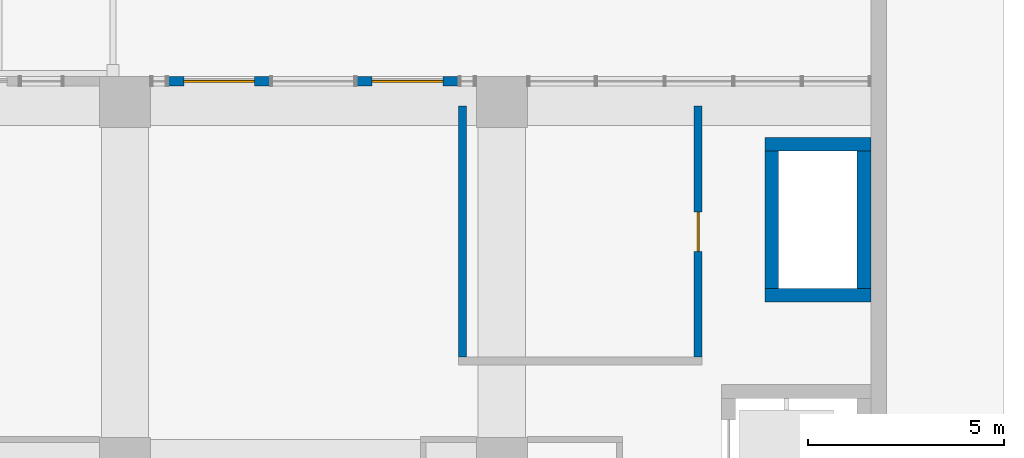
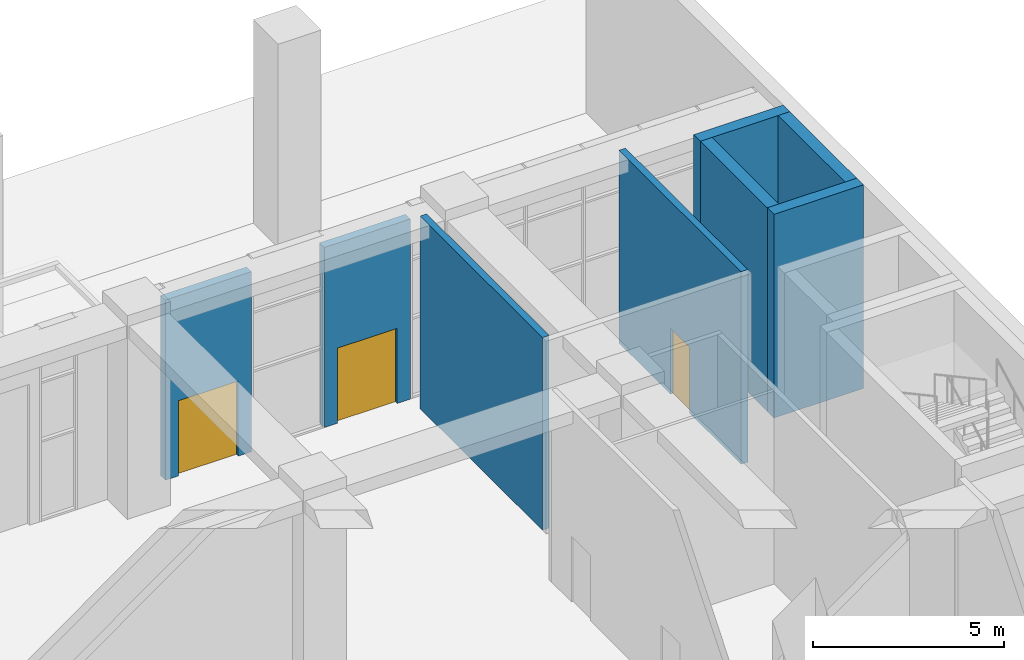
# One storey, part 23 of 45: 8 walls, 3 doors, 3 openings.
"""IFC4 building model written with IfcOpenShell, lengths in metres."""

from ifc_helpers import new_model, si_unit, direction, frame, frame_2d, origin, place, context, subcontext, project, spatial, rectangle, extrude, material, layer, layer_set, layer_usage, type_object, element, fill, save


model = new_model("IFC4")

# Units and contexts
model_context = context("Model", 3, precision=1e-05, world=origin(), true_north=direction((0.0, 1.0)))
body_context = subcontext(model_context, "Body", "Model", "MODEL_VIEW")
ifc_project = project(units=[si_unit("LENGTHUNIT", "METRE"), si_unit("AREAUNIT", "SQUARE_METRE"), si_unit("VOLUMEUNIT", "CUBIC_METRE"), si_unit("PLANEANGLEUNIT", "RADIAN"), si_unit("MASSUNIT", "GRAM", prefix="KILO")], contexts=[model_context])

# Site, building, storey
site_placement = place(None, origin())
site = spatial("IfcSite", under=ifc_project, at=site_placement, CompositionType="ELEMENT")
building_placement = place(site_placement, origin())
building = spatial("IfcBuilding", under=site, at=building_placement, Name="Nzadi Deep Aquarium and Research Tower", CompositionType="ELEMENT")
storey_placement = place(building_placement, origin())
storey = spatial("IfcBuildingStorey", under=building, at=storey_placement, Name="G", CompositionType="ELEMENT", Elevation=0.0)

# Wall, opening, door
ifc_material_1 = material(Name="Concrete C35/45", Category="concrete")
ifc_layer_1 = layer(ifc_material_1, 0.199951171875, Category="cladding")
ifc_material_2 = material(Name="Mineral wool insulation")
ifc_layer_2 = layer(ifc_material_2, 0.050048828125, Category="insulation")
ifc_layer_set_1 = layer_set([ifc_layer_1, ifc_layer_2], Name="Concrete C35/45, Mineral wool insulation")
ifc_layer_usage_1 = layer_usage(ifc_layer_set_1, "AXIS2", "POSITIVE", -0.125)
wall_type_1 = type_object("IfcWallType", Name="Entrance pier wall stone clad 250", PredefinedType="ELEMENTEDWALL", material=ifc_layer_set_1)
wall_1_placement = place(storey_placement, frame((42.10009765625, 132.125, 0.0), z_axis=(0.0, 0.0, 1.0), x_axis=(-1.0, 0.0, 0.0)))
wall_1 = element("IfcWall", 1, at=wall_1_placement, inside=storey, type_object=wall_type_1, material=ifc_layer_usage_1, Name="Entrance pier G", PredefinedType="ELEMENTEDWALL", context=body_context, shape_type="SweptSolid", body=[
    extrude(rectangle(XDim=2.60009765625, YDim=0.25, at=frame_2d((1.300048828125, 0.0))), origin(), (0.0, 0.0, 1.0), 5.75),
])
opening_1_placement = place(wall_1_placement, frame((0.39990234375, 0.0, 0.0)))
opening_1 = element("IfcOpeningElement", 2, at=opening_1_placement, cuts=wall_1, Name="Opening DE011", PredefinedType="OPENING", context=body_context, shape_type="SweptSolid", body=[
    extrude(rectangle(XDim=1.800048828125, YDim=2.39990234375, at=frame_2d((0.89990234375, 1.199951171875))), frame((0.0, 0.135009765625, 0.0), z_axis=(0.0, -1.0, 0.0), x_axis=(1.0, 0.0, 0.0)), (0.0, 0.0, 1.0), 0.27001953125),
])
ifc_material_3 = material(Name="Aluminium framed glazing", Category="aluminium")
door_type_1 = type_object("IfcDoorType", Name="Main entrance double door 1800x2400", OperationType="DOUBLE_DOOR_SINGLE_SWING", PredefinedType="DOOR", material=ifc_material_3)
door_1_placement = place(opening_1_placement, frame((1.800048828125, 0.0, 0.0), z_axis=(0.0, 0.0, 1.0), x_axis=(-1.0, 0.0, 0.0)))
door_1 = element("IfcDoor", 3, at=door_1_placement, inside=storey, type_object=door_type_1, Name="Main entrance 5", OperationType="DOUBLE_DOOR_SINGLE_SWING", OverallHeight=2.39990234375, OverallWidth=1.800048828125, PredefinedType="DOOR", context=body_context, shape_type="SweptSolid", body=[
    extrude(rectangle(XDim=1.800048828125, YDim=2.39990234375, at=frame_2d((0.89990234375, 1.199951171875))), frame((0.0, 0.02490234375, 0.0), z_axis=(0.0, -1.0, 0.0), x_axis=(1.0, 0.0, 0.0)), (0.0, 0.0, 1.0), 0.050048828125),
])
fill(opening_1, door_1)

ifc_layer_usage_2 = layer_usage(ifc_layer_set_1, "AXIS2", "POSITIVE", -0.125)
wall_2_placement = place(storey_placement, frame((46.89990234375, 132.125, 0.0), z_axis=(0.0, 0.0, 1.0), x_axis=(-1.0, 0.0, 0.0)))
wall_2 = element("IfcWall", 4, at=wall_2_placement, inside=storey, type_object=wall_type_1, material=ifc_layer_usage_2, Name="Entrance pier G", PredefinedType="ELEMENTEDWALL", context=body_context, shape_type="SweptSolid", body=[
    extrude(rectangle(XDim=2.599853515625, YDim=0.25, at=frame_2d((1.2998046875, 0.0))), origin(), (0.0, 0.0, 1.0), 5.75),
])
opening_2_placement = place(wall_2_placement, frame((0.39990234375, 0.0, 0.0)))
opening_2 = element("IfcOpeningElement", 5, at=opening_2_placement, cuts=wall_2, Name="Opening DE012", PredefinedType="OPENING", context=body_context, shape_type="SweptSolid", body=[
    extrude(rectangle(XDim=1.800048828125, YDim=2.39990234375, at=frame_2d((0.89990234375, 1.199951171875))), frame((0.0, 0.135009765625, 0.0), z_axis=(0.0, -1.0, 0.0), x_axis=(1.0, 0.0, 0.0)), (0.0, 0.0, 1.0), 0.27001953125),
])
door_2_placement = place(opening_2_placement, frame((1.800048828125, 0.0, 0.0), z_axis=(0.0, 0.0, 1.0), x_axis=(-1.0, 0.0, 0.0)))
door_2 = element("IfcDoor", 6, at=door_2_placement, inside=storey, type_object=door_type_1, Name="Main entrance 6", OperationType="DOUBLE_DOOR_SINGLE_SWING", OverallHeight=2.39990234375, OverallWidth=1.800048828125, PredefinedType="DOOR", context=body_context, shape_type="SweptSolid", body=[
    extrude(rectangle(XDim=1.800048828125, YDim=2.39990234375, at=frame_2d((0.89990234375, 1.199951171875))), frame((0.0, 0.02490234375, 0.0), z_axis=(0.0, -1.0, 0.0), x_axis=(1.0, 0.0, 0.0)), (0.0, 0.0, 1.0), 0.050048828125),
])
fill(opening_2, door_2)

# Wall
ifc_material_4 = material(Name="Blockwork masonry", Category="masonry")
ifc_layer_3 = layer(ifc_material_4, 0.199951171875)
ifc_layer_set_2 = layer_set([ifc_layer_3], Name="Blockwork masonry")
wall_type_2 = type_object("IfcWallType", Name="Partition 200 EI 120", PredefinedType="PARTITIONING", material=ifc_layer_set_2)
wall_3_placement = place(storey_placement, frame((47.0, 125.10009765625, 0.0), z_axis=(0.0, 0.0, 1.0), x_axis=(0.0, 1.0, 0.0)))
element("IfcWall", 7, at=wall_3_placement, inside=storey, type_object=wall_type_2, Name="W-Z3-G-P036", PredefinedType="PARTITIONING", context=body_context, shape_type="SweptSolid", body=[
    extrude(rectangle(XDim=6.393798828125, YDim=0.199951171875, at=frame_2d((3.19677734375, 0.0))), origin(), (0.0, 0.0, 1.0), 6.14990234375),
])

# Wall, opening, door
wall_4_placement = place(storey_placement, frame((53.0, 125.10009765625, 0.0), z_axis=(0.0, 0.0, 1.0), x_axis=(0.0, 1.0, 0.0)))
wall_4 = element("IfcWall", 8, at=wall_4_placement, inside=storey, type_object=wall_type_2, Name="W-Z3-G-P042", PredefinedType="PARTITIONING", context=body_context, shape_type="SweptSolid", body=[
    extrude(rectangle(XDim=6.393798828125, YDim=0.199951171875, at=frame_2d((3.19677734375, 0.0))), origin(), (0.0, 0.0, 1.0), 6.14990234375),
])
opening_3_placement = place(wall_4_placement, frame((2.697021484375, 0.0, 0.0)))
opening_3 = element("IfcOpeningElement", 9, at=opening_3_placement, cuts=wall_4, Name="Opening D013012", PredefinedType="OPENING", context=body_context, shape_type="SweptSolid", body=[
    extrude(rectangle(XDim=1.0, YDim=2.10009765625, at=frame_2d((0.5, 1.050048828125))), frame((0.0, 0.110107421875, 0.0), z_axis=(0.0, -1.0, 0.0), x_axis=(1.0, 0.0, 0.0)), (0.0, 0.0, 1.0), 0.22021484375),
])
ifc_material_5 = material(Name="Fire-rated steel door", Category="steel")
ifc_layer_4 = layer(ifc_material_5, 0.050048828125)
ifc_layer_set_3 = layer_set([ifc_layer_4], Name="Fire-rated steel door")
door_type_2 = type_object("IfcDoorType", Name="Door 1000x2100 EI 120 single", OperationType="SINGLE_SWING_LEFT", PredefinedType="DOOR", material=ifc_layer_set_3)
door_3_placement = place(opening_3_placement, origin())
door_3 = element("IfcDoor", 10, at=door_3_placement, inside=storey, type_object=door_type_2, Name="D013012", OperationType="SINGLE_SWING_LEFT", OverallHeight=2.10009765625, OverallWidth=1.0, PredefinedType="DOOR", context=body_context, shape_type="SweptSolid", body=[
    extrude(rectangle(XDim=1.0, YDim=2.10009765625, at=frame_2d((0.5, 1.050048828125))), frame((0.0, 0.02490234375, 0.0), z_axis=(0.0, -1.0, 0.0), x_axis=(1.0, 0.0, 0.0)), (0.0, 0.0, 1.0), 0.050048828125),
])
fill(opening_3, door_3)

# Walls
ifc_material_6 = material(Name="Concrete C35/45", Category="concrete")
ifc_layer_5 = layer(ifc_material_6, 0.35009765625)
ifc_layer_set_4 = layer_set([ifc_layer_5], Name="Concrete C35/45")
wall_type_3 = type_object("IfcWallType", Name="RC core wall 350, 5.50 to 6.50 m high", PredefinedType="SHEAR", material=ifc_layer_set_4)
for number, where, z_axis, x_axis, name in (
    (11, (54.699951171875, 126.675048828125, 0.0), (0.0, 0.0, 1.0), (1.0, 0.0, 0.0), "W-CORE-RS-Z3-E-G-S"),
    (12, (54.699951171875, 130.52490234375, 0.0), (0.0, 0.0, 1.0), (1.0, 0.0, 0.0), "W-CORE-RS-Z3-E-G-N"),
):
    element("IfcWall", number, at=place(storey_placement, frame(where, z_axis=z_axis, x_axis=x_axis)), inside=storey, type_object=wall_type_3, Name=name, PredefinedType="SHEAR", context=body_context, shape_type="SweptSolid", body=[
        extrude(rectangle(XDim=2.699951171875, YDim=0.35009765625, at=frame_2d((1.35009765625, 0.0))), origin(), (0.0, 0.0, 1.0), 6.5),
    ])
for number, where, z_axis, x_axis, name in (
    (13, (54.875, 126.85009765625, 0.0), (0.0, 0.0, 1.0), (0.0, 1.0, 0.0), "W-CORE-RS-Z3-E-G-W"),
    (14, (57.22509765625, 126.85009765625, 0.0), (0.0, 0.0, 1.0), (0.0, 1.0, 0.0), "W-CORE-RS-Z3-E-G-E"),
):
    element("IfcWall", number, at=place(storey_placement, frame(where, z_axis=z_axis, x_axis=x_axis)), inside=storey, type_object=wall_type_3, Name=name, PredefinedType="SHEAR", context=body_context, shape_type="SweptSolid", body=[
        extrude(rectangle(XDim=3.5, YDim=0.35009765625, at=frame_2d((1.75, 0.0))), origin(), (0.0, 0.0, 1.0), 6.5),
    ])

save(model, "model.ifc")
